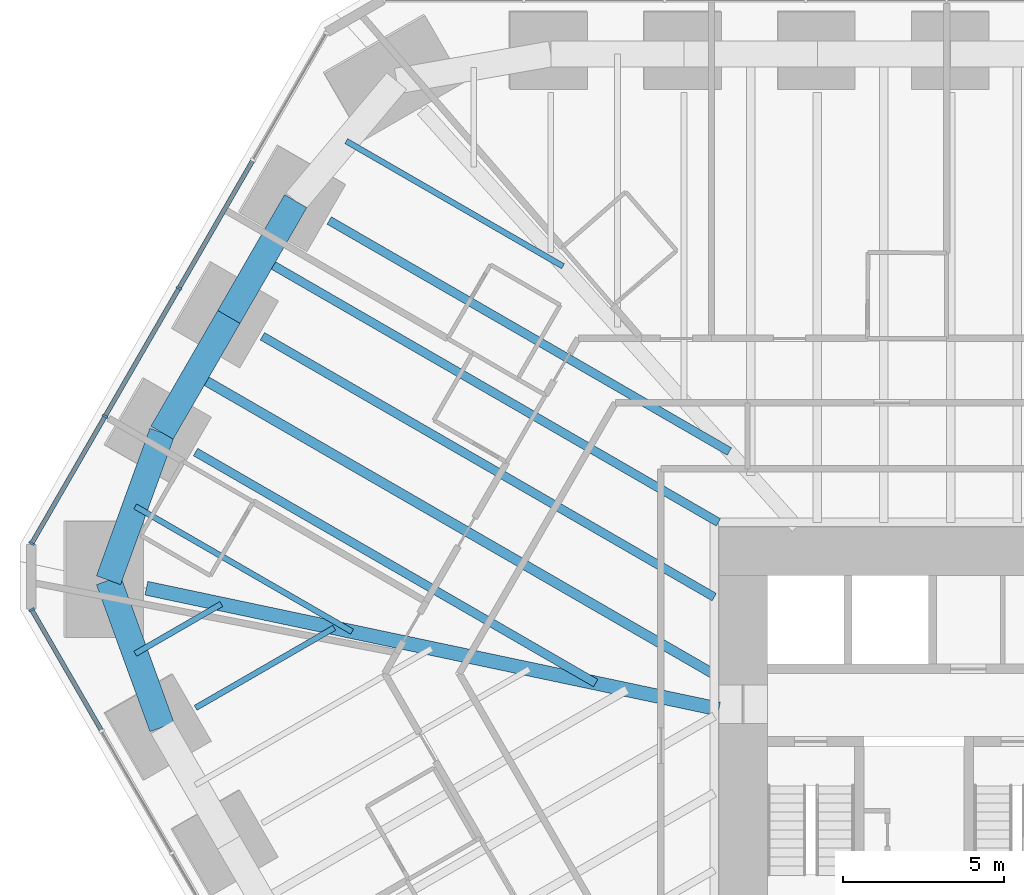
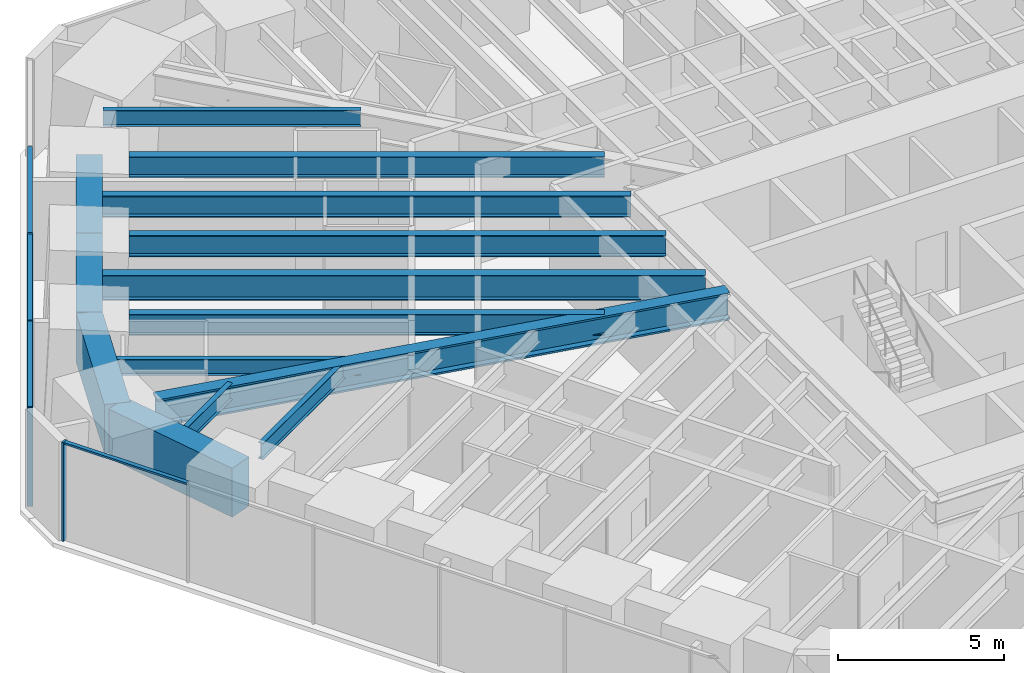
# One storey, part 7 of 17: 14 beams, 8 members, 2 elements without a shape of their own.
"""IFC4 building model written with IfcOpenShell, lengths in metres."""

from ifc_helpers import new_model, si_unit, direction, frame, origin, origin_2d, place, context, subcontext, project, spatial, rectangle, i_section, extrude, material, material_profile, profile_set, type_object, element, aggregate, save


model = new_model("IFC4")

# Units and contexts
model_context = context("Model", 3, precision=1e-05, world=origin(), true_north=direction((0.0, 1.0)))
body_context = subcontext(model_context, "Body", "Model", "MODEL_VIEW")
ifc_project = project(units=[si_unit("LENGTHUNIT", "METRE"), si_unit("AREAUNIT", "SQUARE_METRE"), si_unit("VOLUMEUNIT", "CUBIC_METRE"), si_unit("PLANEANGLEUNIT", "RADIAN"), si_unit("MASSUNIT", "GRAM", prefix="KILO")], contexts=[model_context])

# Site, building, storey
site_placement = place(None, origin())
site = spatial("IfcSite", under=ifc_project, at=site_placement, CompositionType="ELEMENT")
building_placement = place(site_placement, origin())
building = spatial("IfcBuilding", under=site, at=building_placement, Name="Sandreach Pilgrim Tower", CompositionType="ELEMENT")
storey_placement = place(building_placement, frame((0.0, 0.0, 64.800048828125)))
storey = spatial("IfcBuildingStorey", under=building, at=storey_placement, Name="L15", CompositionType="ELEMENT", Elevation=64.800048828125)

# Curtain wall, member
ifc_material_1 = material(Name="Aluminium framed curtain wall", Category="aluminium")
curtain_wall_type = type_object("IfcCurtainWallType", Name="Hostel tower curtain wall", PredefinedType="NOTDEFINED", material=ifc_material_1)
curtain_wall_1_placement = place(storey_placement, origin())
curtain_wall_1 = element("IfcCurtainWall", 1, at=curtain_wall_1_placement, inside=storey, type_object=curtain_wall_type, Name="CW-1 L15 SW", PredefinedType="NOTDEFINED")
ifc_material_2 = material(Name="Aluminium extrusion", Category="aluminium")
ifc_material_profile_1 = material_profile(ifc_material_2, rectangle(XDim=0.06494140625, YDim=0.179931640625, at=origin_2d()), Name="CW-1M 65X180")
ifc_profile_set_1 = profile_set([ifc_material_profile_1], Name="Aluminium extrusion")
member_type_1 = type_object("IfcMemberType", Name="CW-1 mullion", PredefinedType="MULLION", material=ifc_profile_set_1)
member_1_placement = place(storey_placement, frame((-30.56005859375, 5.033935546875, 0.0), z_axis=(0.0, 0.0, 1.0), x_axis=(-0.5, 0.866025403784, 0.0)))
member_1 = element("IfcMember", 2, at=member_1_placement, type_object=member_type_1, Name="CW-1 mullion 10", PredefinedType="MULLION", context=body_context, shape_type="SweptSolid", body=[
    extrude(rectangle(XDim=0.06494140625, YDim=0.179931640625, at=origin_2d()), origin(), (0.0, 0.0, 1.0), 3.639892578125),
])

# Curtain wall, members
curtain_wall_2_placement = place(storey_placement, origin())
curtain_wall_2 = element("IfcCurtainWall", 3, at=curtain_wall_2_placement, inside=storey, type_object=curtain_wall_type, Name="CW-1 L15 NW", PredefinedType="NOTDEFINED")
member_2_placement = place(storey_placement, frame((-30.56005859375, 7.09033203125, 0.0), z_axis=(0.0, 0.0, 1.0), x_axis=(0.5, 0.866025403784, 0.0)))
member_2 = element("IfcMember", 4, at=member_2_placement, type_object=member_type_1, Name="CW-1 mullion 1", PredefinedType="MULLION", context=body_context, shape_type="SweptSolid", body=[
    extrude(rectangle(XDim=0.06494140625, YDim=0.179931640625, at=origin_2d()), origin(), (0.0, 0.0, 1.0), 3.639892578125),
])
member_3_placement = place(storey_placement, frame((-28.283203125, 11.03369140625, 0.0), z_axis=(0.0, 0.0, 1.0), x_axis=(0.5, 0.866025403784, 0.0)))
member_3 = element("IfcMember", 5, at=member_3_placement, type_object=member_type_1, Name="CW-1 mullion 2", PredefinedType="MULLION", context=body_context, shape_type="SweptSolid", body=[
    extrude(rectangle(XDim=0.06494140625, YDim=0.179931640625, at=origin_2d()), origin(), (0.0, 0.0, 1.0), 3.639892578125),
])
member_4_placement = place(storey_placement, frame((-25.990234375, 15.00537109375, 0.0), z_axis=(0.0, 0.0, 1.0), x_axis=(0.5, 0.866025403784, 0.0)))
member_4 = element("IfcMember", 6, at=member_4_placement, type_object=member_type_1, Name="CW-1 mullion 3", PredefinedType="MULLION", context=body_context, shape_type="SweptSolid", body=[
    extrude(rectangle(XDim=0.06494140625, YDim=0.179931640625, at=origin_2d()), origin(), (0.0, 0.0, 1.0), 3.639892578125),
])

# Member
ifc_material_3 = material(Name="Aluminium extrusion", Category="aluminium")
ifc_material_profile_2 = material_profile(ifc_material_3, rectangle(XDim=0.139892578125, YDim=0.070068359375, at=origin_2d()), Name="CW-1T 140X70")
ifc_profile_set_2 = profile_set([ifc_material_profile_2], Name="Aluminium extrusion")
member_type_2 = type_object("IfcMemberType", Name="CW-1 transom", PredefinedType="USERDEFINED", material=ifc_profile_set_2)
member_5_placement = place(storey_placement, frame((-28.40673828125, 1.304443359375, 3.60498046875), z_axis=(-0.499991113271, 0.866030534479, 0.0), x_axis=(-0.866030534479, -0.499991113271, 0.0)))
member_5 = element("IfcMember", 7, at=member_5_placement, type_object=member_type_2, Name="CW-1 head transom 9", ObjectType="TRANSOM", PredefinedType="USERDEFINED", context=body_context, shape_type="SweptSolid", body=[
    extrude(rectangle(XDim=0.139892578125, YDim=0.070068359375, at=origin_2d()), origin(), (0.0, 0.0, 1.0), 4.27392578125),
])

aggregate(curtain_wall_1, [member_1, member_5])

member_6_placement = place(storey_placement, frame((-30.543701171875, 7.118408203125, 3.60498046875), z_axis=(0.499976706761, 0.866038851724, 0.0), x_axis=(-0.866038851724, 0.499976706761, 0.0)))
member_6 = element("IfcMember", 8, at=member_6_placement, type_object=member_type_2, Name="CW-1 head transom 1", ObjectType="TRANSOM", PredefinedType="USERDEFINED", context=body_context, shape_type="SweptSolid", body=[
    extrude(rectangle(XDim=0.139892578125, YDim=0.070068359375, at=origin_2d()), origin(), (0.0, 0.0, 1.0), 4.488525390625),
])

member_7_placement = place(storey_placement, frame((-28.266845703125, 11.06201171875, 3.60498046875), z_axis=(0.500001366228, 0.866024614991, 0.0), x_axis=(-0.866024614991, 0.500001366228, 0.0)))
member_7 = element("IfcMember", 9, at=member_7_placement, type_object=member_type_2, Name="CW-1 head transom 2", ObjectType="TRANSOM", PredefinedType="USERDEFINED", context=body_context, shape_type="SweptSolid", body=[
    extrude(rectangle(XDim=0.139892578125, YDim=0.070068359375, at=origin_2d()), origin(), (0.0, 0.0, 1.0), 4.52099609375),
])

member_8_placement = place(storey_placement, frame((-25.973876953125, 15.03369140625, 3.60498046875), z_axis=(0.500001366228, 0.866024614991, 0.0), x_axis=(-0.866024614991, 0.500001366228, 0.0)))
member_8 = element("IfcMember", 10, at=member_8_placement, type_object=member_type_2, Name="CW-1 head transom 3", ObjectType="TRANSOM", PredefinedType="USERDEFINED", context=body_context, shape_type="SweptSolid", body=[
    extrude(rectangle(XDim=0.139892578125, YDim=0.070068359375, at=origin_2d()), origin(), (0.0, 0.0, 1.0), 4.52099609375),
])

aggregate(curtain_wall_2, [member_2, member_3, member_4, member_6, member_7, member_8])

# Beams
ifc_material_4 = material(Name="Steel ASTM A992 Grade 50", Category="steel")
ifc_material_profile_3 = material_profile(ifc_material_4, i_section(OverallWidth=0.434326171875, OverallDepth=0.998291015625, WebThickness=0.0380859375, FlangeThickness=0.068115234375, at=origin_2d()), Name="W36X487")
ifc_profile_set_3 = profile_set([ifc_material_profile_3], Name="Steel ASTM A992 Grade 50")
beam_type_1 = type_object("IfcBeamType", Name="Corner girder W36X487", PredefinedType="BEAM", material=ifc_profile_set_3)
beam_1_placement = place(storey_placement, frame((-27.00439453125, 5.701416015625, 3.140869140625), z_axis=(0.978429993727, -0.206578671154, 0.0), x_axis=(0.206578671154, 0.978429993727, 0.0)))
element("IfcBeam", 11, at=beam_1_placement, inside=storey, type_object=beam_type_1, Name="BM L15 CG35", PredefinedType="BEAM", context=body_context, shape_type="SweptSolid", body=[
    extrude(i_section(OverallWidth=0.434326171875, OverallDepth=0.998291015625, WebThickness=0.0380859375, FlangeThickness=0.068115234375, at=origin_2d()), origin(), (0.0, 0.0, 1.0), 18.145751953125),
])
ifc_material_5 = material(Name="Steel ASTM A992 Grade 50", Category="steel")
ifc_material_profile_4 = material_profile(ifc_material_5, i_section(OverallWidth=0.1787109375, OverallDepth=0.60205078125, WebThickness=0.010986328125, FlangeThickness=0.014892578125, at=origin_2d()), Name="W24X62")
ifc_profile_set_4 = profile_set([ifc_material_profile_4], Name="Steel ASTM A992 Grade 50")
beam_type_2 = type_object("IfcBeamType", Name="Floor beam W24X62", PredefinedType="BEAM", material=ifc_profile_set_4)
beam_2_placement = place(storey_placement, frame((-25.478515625, 1.990234375, 3.3388671875), z_axis=(0.866055352781, 0.499948123228, 0.0), x_axis=(-0.499948123228, 0.866055352781, 0.0)))
element("IfcBeam", 12, at=beam_2_placement, inside=storey, type_object=beam_type_2, Name="BM L15 F34", PredefinedType="BEAM", context=body_context, shape_type="SweptSolid", body=[
    extrude(i_section(OverallWidth=0.1787109375, OverallDepth=0.60205078125, WebThickness=0.010986328125, FlangeThickness=0.014892578125, at=origin_2d()), origin(), (0.0, 0.0, 1.0), 4.96337890625),
])
beam_3_placement = place(storey_placement, frame((-27.34814453125, 3.669677734375, 3.3388671875), z_axis=(0.866011447264, 0.500024172624, 0.0), x_axis=(-0.500024172624, 0.866011447264, 0.0)))
element("IfcBeam", 13, at=beam_3_placement, inside=storey, type_object=beam_type_2, Name="BM L15 FM34", PredefinedType="BEAM", context=body_context, shape_type="SweptSolid", body=[
    extrude(i_section(OverallWidth=0.1787109375, OverallDepth=0.60205078125, WebThickness=0.010986328125, FlangeThickness=0.014892578125, at=origin_2d()), origin(), (0.0, 0.0, 1.0), 3.081787109375),
])
beam_4_placement = place(storey_placement, frame((-27.348388671875, 8.236572265625, 3.3388671875), z_axis=(0.866022731815, -0.500004627958, 0.0), x_axis=(0.500004627958, 0.866022731815, 0.0)))
element("IfcBeam", 14, at=beam_4_placement, inside=storey, type_object=beam_type_2, Name="BM L15 FM35", PredefinedType="BEAM", context=body_context, shape_type="SweptSolid", body=[
    extrude(i_section(OverallWidth=0.1787109375, OverallDepth=0.60205078125, WebThickness=0.010986328125, FlangeThickness=0.014892578125, at=origin_2d()), origin(), (0.0, 0.0, 1.0), 7.76416015625),
])
beam_5_placement = place(storey_placement, frame((-20.80712890625, 19.566162109375, 3.3388671875), z_axis=(0.866014870135, -0.500018244372, 0.0), x_axis=(0.500018244372, 0.866014870135, 0.0)))
element("IfcBeam", 15, at=beam_5_placement, inside=storey, type_object=beam_type_2, Name="BM L15 FM38", PredefinedType="BEAM", context=body_context, shape_type="SweptSolid", body=[
    extrude(i_section(OverallWidth=0.1787109375, OverallDepth=0.60205078125, WebThickness=0.010986328125, FlangeThickness=0.014892578125, at=origin_2d()), origin(), (0.0, 0.0, 1.0), 7.763916015625),
])
ifc_material_6 = material(Name="Steel ASTM A992 Grade 50", Category="steel")
ifc_material_profile_5 = material_profile(ifc_material_6, i_section(OverallWidth=0.2666015625, OverallDepth=0.761962890625, WebThickness=0.014404296875, FlangeThickness=0.021484375, at=origin_2d()), Name="W30X116")
ifc_profile_set_5 = profile_set([ifc_material_profile_5], Name="Steel ASTM A992 Grade 50")
beam_type_3 = type_object("IfcBeamType", Name="Floor beam W30X116", PredefinedType="BEAM", material=ifc_profile_set_5)
beam_6_placement = place(storey_placement, frame((-25.47900390625, 9.923583984375, 3.259033203125), z_axis=(0.866027248983, -0.499996804008, 0.0), x_axis=(0.499996804008, 0.866027248983, 0.0)))
element("IfcBeam", 16, at=beam_6_placement, inside=storey, type_object=beam_type_3, Name="BM L15 F36", PredefinedType="BEAM", context=body_context, shape_type="SweptSolid", body=[
    extrude(i_section(OverallWidth=0.2666015625, OverallDepth=0.761962890625, WebThickness=0.014404296875, FlangeThickness=0.021484375, at=origin_2d()), origin(), (0.0, 0.0, 1.0), 14.32763671875),
])
beam_7_placement = place(storey_placement, frame((-21.333740234375, 17.103759765625, 3.259033203125), z_axis=(0.866024130529, -0.500002205337, 0.0), x_axis=(0.500002205337, 0.866024130529, 0.0)))
element("IfcBeam", 17, at=beam_7_placement, inside=storey, type_object=beam_type_3, Name="BM L15 F38", PredefinedType="BEAM", context=body_context, shape_type="SweptSolid", body=[
    extrude(i_section(OverallWidth=0.2666015625, OverallDepth=0.761962890625, WebThickness=0.014404296875, FlangeThickness=0.021484375, at=origin_2d()), origin(), (0.0, 0.0, 1.0), 14.328125),
])
ifc_material_7 = material(Name="Steel ASTM A992 Grade 50", Category="steel")
ifc_material_profile_6 = material_profile(ifc_material_7, i_section(OverallWidth=0.2666015625, OverallDepth=0.77978515625, WebThickness=0.0166015625, FlangeThickness=0.030029296875, at=origin_2d()), Name="W30X148")
ifc_profile_set_6 = profile_set([ifc_material_profile_6], Name="Steel ASTM A992 Grade 50")
beam_type_4 = type_object("IfcBeamType", Name="Floor beam W30X148", PredefinedType="BEAM", material=ifc_profile_set_6)
beam_8_placement = place(storey_placement, frame((-23.40625, 13.513671875, 3.25), z_axis=(0.866026536687, -0.49999803775, 0.0), x_axis=(0.49999803775, 0.866026536687, 0.0)))
element("IfcBeam", 18, at=beam_8_placement, inside=storey, type_object=beam_type_4, Name="BM L15 F37", PredefinedType="BEAM", context=body_context, shape_type="SweptSolid", body=[
    extrude(i_section(OverallWidth=0.2666015625, OverallDepth=0.77978515625, WebThickness=0.0166015625, FlangeThickness=0.030029296875, at=origin_2d()), origin(), (0.0, 0.0, 1.0), 16.1806640625),
])
beam_9_placement = place(storey_placement, frame((-23.4091796875, 15.90869140625, 3.25), z_axis=(0.866027499519, -0.499996370064, 0.0), x_axis=(0.499996370064, 0.866027499519, 0.0)))
element("IfcBeam", 19, at=beam_9_placement, inside=storey, type_object=beam_type_4, Name="BM L15 FM37", PredefinedType="BEAM", context=body_context, shape_type="SweptSolid", body=[
    extrude(i_section(OverallWidth=0.2666015625, OverallDepth=0.77978515625, WebThickness=0.0166015625, FlangeThickness=0.030029296875, at=origin_2d()), origin(), (0.0, 0.0, 1.0), 16.33056640625),
])
ifc_material_8 = material(Name="Steel ASTM A992 Grade 50", Category="steel")
ifc_material_profile_7 = material_profile(ifc_material_8, i_section(OverallWidth=0.3046875, OverallDepth=0.914306640625, WebThickness=0.0166015625, FlangeThickness=0.02587890625, at=origin_2d()), Name="W36X160")
ifc_profile_set_7 = profile_set([ifc_material_profile_7], Name="Steel ASTM A992 Grade 50")
beam_type_5 = type_object("IfcBeamType", Name="Floor beam W36X160", PredefinedType="BEAM", material=ifc_profile_set_7)
beam_10_placement = place(storey_placement, frame((-25.48193359375, 12.318603515625, 3.182861328125), z_axis=(0.866024296347, -0.500001918134, 0.0), x_axis=(0.500001918134, 0.866024296347, 0.0)))
element("IfcBeam", 20, at=beam_10_placement, inside=storey, type_object=beam_type_5, Name="BM L15 FM36", PredefinedType="BEAM", context=body_context, shape_type="SweptSolid", body=[
    extrude(i_section(OverallWidth=0.3046875, OverallDepth=0.914306640625, WebThickness=0.0166015625, FlangeThickness=0.02587890625, at=origin_2d()), origin(), (0.0, 0.0, 1.0), 18.57763671875),
])
ifc_material_9 = material(Name="Concrete 10000 psi", Category="concrete")
ifc_material_profile_8 = material_profile(ifc_material_9, rectangle(XDim=0.800048828125, YDim=1.800048828125, at=origin_2d()), Name="RC800X1800")
ifc_profile_set_8 = profile_set([ifc_material_profile_8], Name="Concrete 10000 psi")
beam_type_6 = type_object("IfcBeamType", Name="Spandrel beam RC800X1800", PredefinedType="SPANDREL", material=ifc_profile_set_8)
beam_11_placement = place(storey_placement, frame((-26.517578125, 1.39013671875, 2.739990234375), z_axis=(-0.342280292815, 0.93959789333, 0.0), x_axis=(-0.93959789333, -0.342280292815, 0.0)))
element("IfcBeam", 21, at=beam_11_placement, inside=storey, type_object=beam_type_6, Name="BM L15 SP34", PredefinedType="SPANDREL", context=body_context, shape_type="SweptSolid", body=[
    extrude(rectangle(XDim=0.800048828125, YDim=1.800048828125, at=origin_2d()), origin(), (0.0, 0.0, 1.0), 4.8525390625),
])
beam_12_placement = place(storey_placement, frame((-28.178466796875, 5.949462890625, 2.739990234375), z_axis=(0.341162918486, 0.940004182464, 0.0), x_axis=(-0.940004182464, 0.341162918486, 0.0)))
element("IfcBeam", 22, at=beam_12_placement, inside=storey, type_object=beam_type_6, Name="BM L15 SP35", PredefinedType="SPANDREL", context=body_context, shape_type="SweptSolid", body=[
    extrude(rectangle(XDim=0.800048828125, YDim=1.800048828125, at=origin_2d()), origin(), (0.0, 0.0, 1.0), 4.8662109375),
])
beam_13_placement = place(storey_placement, frame((-26.518310546875, 10.523681640625, 2.739990234375), z_axis=(0.500002839747, 0.86602376425, 0.0), x_axis=(-0.86602376425, 0.500002839747, 0.0)))
element("IfcBeam", 23, at=beam_13_placement, inside=storey, type_object=beam_type_6, Name="BM L15 SP36", PredefinedType="SPANDREL", context=body_context, shape_type="SweptSolid", body=[
    extrude(rectangle(XDim=0.800048828125, YDim=1.800048828125, at=origin_2d()), origin(), (0.0, 0.0, 1.0), 4.1455078125),
])
beam_14_placement = place(storey_placement, frame((-24.445556640625, 14.11376953125, 2.739990234375), z_axis=(0.500028342409, 0.866009039668, 0.0), x_axis=(-0.866009039668, 0.500028342409, 0.0)))
element("IfcBeam", 24, at=beam_14_placement, inside=storey, type_object=beam_type_6, Name="BM L15 SP37", PredefinedType="SPANDREL", context=body_context, shape_type="SweptSolid", body=[
    extrude(rectangle(XDim=0.800048828125, YDim=1.800048828125, at=origin_2d()), origin(), (0.0, 0.0, 1.0), 4.145263671875),
])

save(model, "model.ifc")
